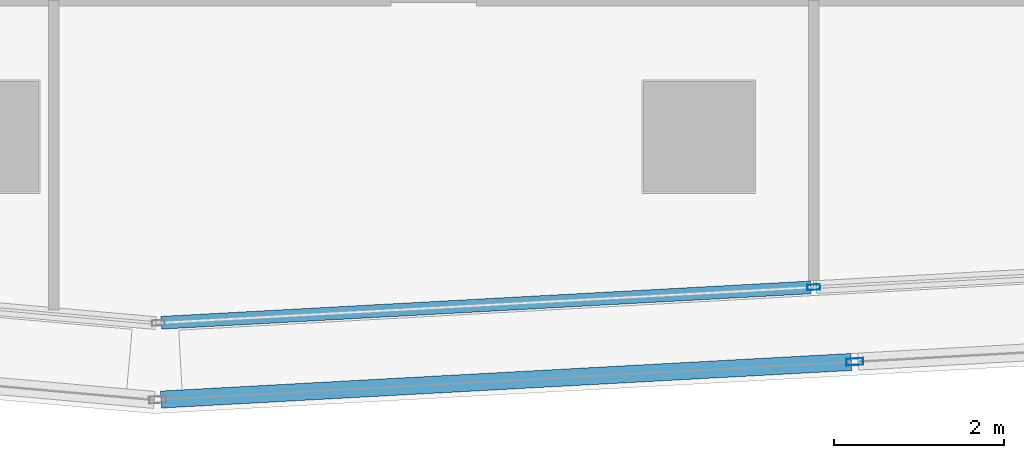
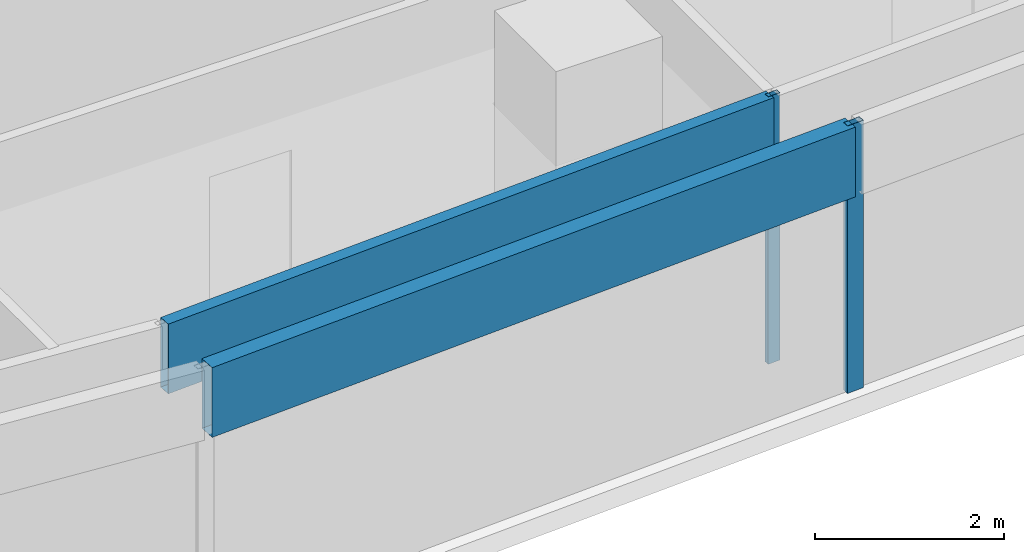
# One storey, part 6 of 30: 4 members, 2 elements without a shape of their own.
"""IFC4 building model written with IfcOpenShell, lengths in metres."""

from ifc_helpers import new_model, si_unit, direction, frame, origin, origin_2d, place, context, subcontext, project, spatial, hollow_rectangle, extrude, material, material_profile, profile_set, type_object, element, aggregate, save


model = new_model("IFC4")

# Units and contexts
model_context = context("Model", 3, precision=1e-05, world=origin(), true_north=direction((0.0, 1.0)))
body_context = subcontext(model_context, "Body", "Model", "MODEL_VIEW")
ifc_project = project(units=[si_unit("LENGTHUNIT", "METRE"), si_unit("AREAUNIT", "SQUARE_METRE"), si_unit("VOLUMEUNIT", "CUBIC_METRE"), si_unit("PLANEANGLEUNIT", "RADIAN"), si_unit("MASSUNIT", "GRAM", prefix="KILO")], contexts=[model_context])

# Site, building, storey
site_placement = place(None, origin())
site = spatial("IfcSite", under=ifc_project, at=site_placement, CompositionType="ELEMENT")
building_placement = place(site_placement, origin())
building = spatial("IfcBuilding", under=site, at=building_placement, Name="Rekha Terrace Tower", CompositionType="ELEMENT")
storey_placement = place(building_placement, frame((0.0, 0.0, 287.60009765625)))
storey = spatial("IfcBuildingStorey", under=building, at=storey_placement, Name="L73", CompositionType="ELEMENT", Elevation=287.60009765625)

# Curtain wall, members
ifc_material_1 = material(Name="Aluminium framing", Category="aluminium")
curtain_wall_type_1 = type_object("IfcCurtainWallType", Name="CW1 double skin inner glazing", PredefinedType="USERDEFINED", material=ifc_material_1)
curtain_wall_1_placement = place(storey_placement, origin())
curtain_wall_1 = element("IfcCurtainWall", 1, at=curtain_wall_1_placement, inside=storey, type_object=curtain_wall_type_1, Name="CW1 double skin inner glazing", ObjectType="DOUBLE SKIN INNER GLAZING", PredefinedType="USERDEFINED")
ifc_material_2 = material(Name="Aluminium mullion section", Category="aluminium")
ifc_material_profile_1 = material_profile(ifc_material_2, hollow_rectangle(XDim=0.06494140625, YDim=0.14990234375, WallThickness=0.00390625, at=origin_2d()), Name="AL RHS 65x150")
ifc_profile_set_1 = profile_set([ifc_material_profile_1], Name="Aluminium mullion section")
member_type_1 = type_object("IfcMemberType", Name="CW1 mullion RHS 65 x 150", PredefinedType="MULLION", material=ifc_profile_set_1)
member_1_placement = place(storey_placement, frame((34.94775390625, 15.033447265625, 0.0), z_axis=(0.0, 0.0, 1.0), x_axis=(-0.054388903036, 0.998519828159, 0.0)))
member_1 = element("IfcMember", 2, at=member_1_placement, type_object=member_type_1, Name="CW1 mullion 2", PredefinedType="MULLION", context=body_context, shape_type="SweptSolid", body=[
    extrude(hollow_rectangle(XDim=0.06494140625, YDim=0.14990234375, WallThickness=0.00390625, at=origin_2d()), origin(), (0.0, 0.0, 1.0), 3.449951171875),
])
ifc_material_3 = material(Name="Insulated aluminium spandrel box", Category="aluminium")
ifc_material_profile_2 = material_profile(ifc_material_3, hollow_rectangle(XDim=0.14990234375, YDim=0.89990234375, WallThickness=0.0029296875, at=origin_2d()), Name="AL SPANDREL BOX 150x900")
ifc_profile_set_2 = profile_set([ifc_material_profile_2], Name="Insulated aluminium spandrel box")
member_type_2 = type_object("IfcMemberType", Name="CW1 spandrel transom 150 x 900", PredefinedType="USERDEFINED", material=ifc_profile_set_2)
member_2_placement = place(storey_placement, frame((27.287109375, 14.6162109375, 3.0), z_axis=(0.998521390426, 0.054360213958, 0.0), x_axis=(-0.054360213958, 0.998521390426, 0.0)))
member_2 = element("IfcMember", 3, at=member_2_placement, type_object=member_type_2, Name="CW1 spandrel transom 1", ObjectType="TRANSOM", PredefinedType="USERDEFINED", context=body_context, shape_type="SweptSolid", body=[
    extrude(hollow_rectangle(XDim=0.14990234375, YDim=0.89990234375, WallThickness=0.0029296875, at=origin_2d()), origin(), (0.0, 0.0, 1.0), 7.639404296875),
])
aggregate(curtain_wall_1, [member_1, member_2])

curtain_wall_type_2 = type_object("IfcCurtainWallType", Name="CW2 double skin outer glazing", PredefinedType="USERDEFINED", material=ifc_material_1)
curtain_wall_2_placement = place(storey_placement, origin())
curtain_wall_2 = element("IfcCurtainWall", 4, at=curtain_wall_2_placement, inside=storey, type_object=curtain_wall_type_2, Name="CW2 double skin outer glazing", ObjectType="DOUBLE SKIN OUTER GLAZING", PredefinedType="USERDEFINED")
ifc_material_profile_3 = material_profile(ifc_material_2, hollow_rectangle(XDim=0.080078125, YDim=0.199951171875, WallThickness=0.00390625, at=origin_2d()), Name="AL RHS 80x200")
ifc_profile_set_3 = profile_set([ifc_material_profile_3], Name="Aluminium mullion section")
member_type_3 = type_object("IfcMemberType", Name="CW2 mullion RHS 80 x 200", PredefinedType="MULLION", material=ifc_profile_set_3)
member_3_placement = place(storey_placement, frame((35.429931640625, 14.158203125, 0.0), z_axis=(0.0, 0.0, 1.0), x_axis=(-0.054388903071, 0.998519828157, 0.0)))
member_3 = element("IfcMember", 5, at=member_3_placement, type_object=member_type_3, Name="CW2 mullion 2", PredefinedType="MULLION", context=body_context, shape_type="SweptSolid", body=[
    extrude(hollow_rectangle(XDim=0.080078125, YDim=0.199951171875, WallThickness=0.00390625, at=origin_2d()), origin(), (0.0, 0.0, 1.0), 3.449951171875),
])
ifc_material_profile_4 = material_profile(ifc_material_3, hollow_rectangle(XDim=0.199951171875, YDim=0.89990234375, WallThickness=0.0029296875, at=origin_2d()), Name="AL SPANDREL BOX 200x900")
ifc_profile_set_4 = profile_set([ifc_material_profile_4], Name="Insulated aluminium spandrel box")
member_type_4 = type_object("IfcMemberType", Name="CW2 spandrel transom 200 x 900", PredefinedType="USERDEFINED", material=ifc_profile_set_4)
member_4_placement = place(storey_placement, frame((27.28662109375, 13.71484375, 3.0), z_axis=(0.998521383998, 0.054360332034, 0.0), x_axis=(-0.054360332034, 0.998521383998, 0.0)))
member_4 = element("IfcMember", 6, at=member_4_placement, type_object=member_type_4, Name="CW2 spandrel transom 1", ObjectType="TRANSOM", PredefinedType="USERDEFINED", context=body_context, shape_type="SweptSolid", body=[
    extrude(hollow_rectangle(XDim=0.199951171875, YDim=0.89990234375, WallThickness=0.0029296875, at=origin_2d()), origin(), (0.0, 0.0, 1.0), 8.115478515625),
])
aggregate(curtain_wall_2, [member_3, member_4])

save(model, "model.ifc")
